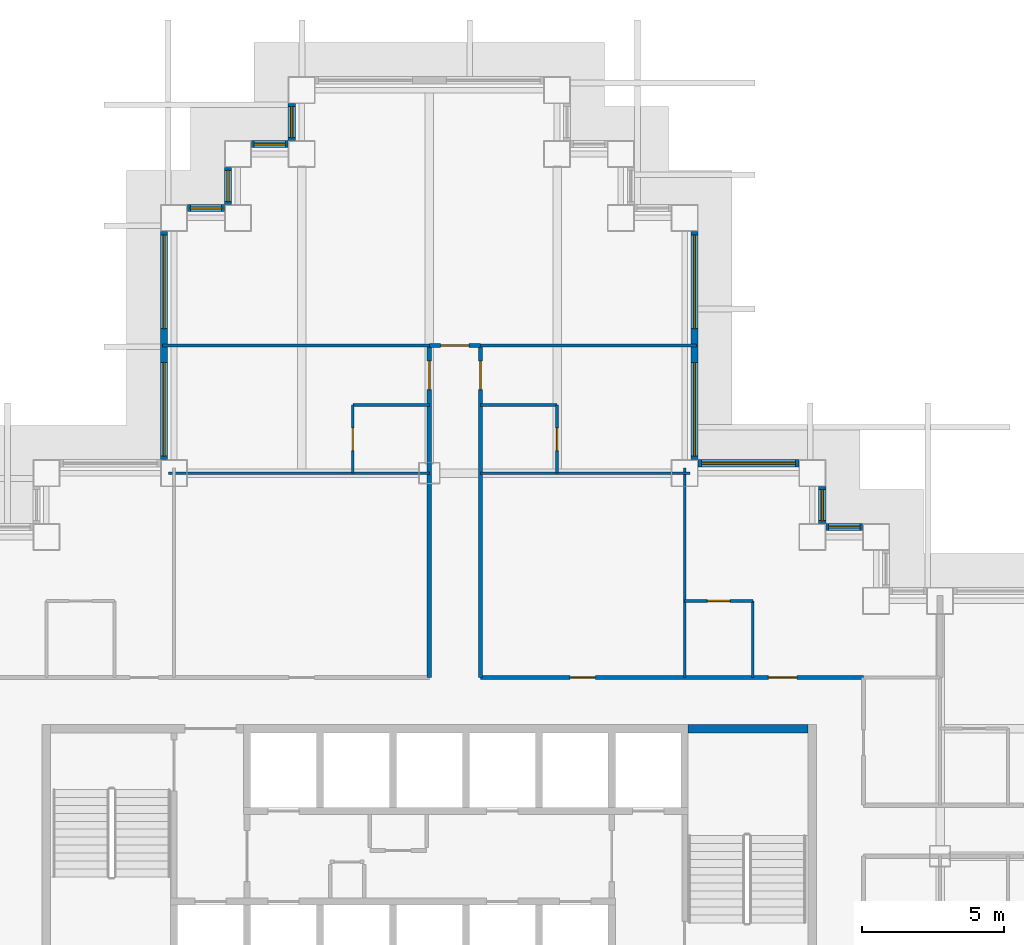
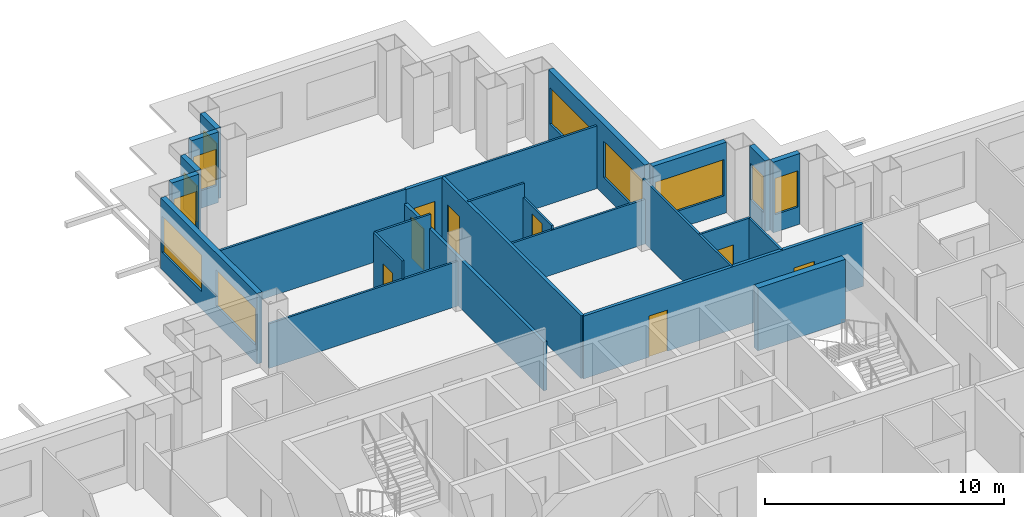
# One storey, part 8 of 15: 25 walls, 11 windows, 8 doors, 19 openings.
"""IFC4 building model written with IfcOpenShell, lengths in metres."""

from ifc_helpers import new_model, si_unit, direction, frame, frame_2d, origin, place, context, subcontext, project, spatial, rectangle, extrude, material, layer, layer_set, type_object, element, fill, save


model = new_model("IFC4")

# Units and contexts
model_context = context("Model", 3, precision=1e-05, world=origin(), true_north=direction((0.0, 1.0)))
body_context = subcontext(model_context, "Body", "Model", "MODEL_VIEW")
ifc_project = project(units=[si_unit("LENGTHUNIT", "METRE"), si_unit("AREAUNIT", "SQUARE_METRE"), si_unit("VOLUMEUNIT", "CUBIC_METRE"), si_unit("PLANEANGLEUNIT", "RADIAN"), si_unit("MASSUNIT", "GRAM", prefix="KILO")], contexts=[model_context])

# Site, building, storey
site_placement = place(None, origin())
site = spatial("IfcSite", under=ifc_project, at=site_placement, CompositionType="ELEMENT")
building_placement = place(site_placement, origin())
building = spatial("IfcBuilding", under=site, at=building_placement, Name="Caravel Reach Hotel and Residences", CompositionType="ELEMENT")
storey_placement = place(building_placement, frame((0.0, 0.0, 92.39990234375)))
storey = spatial("IfcBuildingStorey", under=building, at=storey_placement, Name="L22", CompositionType="ELEMENT", Elevation=92.39990234375)

# Wall, opening, door
ifc_material_1 = material(Name="Gypsum board on steel stud", Category="steel")
ifc_layer_1 = layer(ifc_material_1, 0.10009765625)
ifc_layer_set_1 = layer_set([ifc_layer_1], Name="Bathroom pod wall 100 mm")
wall_type_1 = type_object("IfcWallType", Name="Bathroom pod wall 100 mm", PredefinedType="PARTITIONING", material=ifc_layer_set_1)
wall_1_placement = place(storey_placement, frame((40.5, 36.0, 0.0), z_axis=(0.0, 0.0, 1.0), x_axis=(1.0, 0.0, 0.0)))
wall_1 = element("IfcWall", 1, at=wall_1_placement, inside=storey, type_object=wall_type_1, Name="L22 wall w080", PredefinedType="PARTITIONING", context=body_context, shape_type="SweptSolid", body=[
    extrude(rectangle(XDim=2.39990234375, YDim=0.10009765625, at=frame_2d((1.199951171875, 0.0))), origin(), (0.0, 0.0, 1.0), 3.2001953125),
])
opening_1_placement = place(wall_1_placement, frame((0.800048828125, 0.0, 0.0)))
opening_1 = element("IfcOpeningElement", 2, at=opening_1_placement, cuts=wall_1, Name="Opening D22-041", PredefinedType="OPENING", context=body_context, shape_type="SweptSolid", body=[
    extrude(rectangle(XDim=0.800048828125, YDim=2.10009765625, at=frame_2d((0.39990234375, 1.050048828125))), frame((0.0, 0.06005859375, 0.0), z_axis=(0.0, -1.0, 0.0), x_axis=(1.0, 0.0, 0.0)), (0.0, 0.0, 1.0), 0.1201171875),
])
ifc_material_2 = material(Name="Timber and steel door leaf", Category="steel")
door_type_1 = type_object("IfcDoorType", Name="Bathroom door 800 x 2100", OperationType="SINGLE_SWING_LEFT", PredefinedType="DOOR", material=ifc_material_2)
door_1_placement = place(opening_1_placement, origin())
door_1 = element("IfcDoor", 3, at=door_1_placement, inside=storey, type_object=door_type_1, Name="door D22-041", OperationType="SINGLE_SWING_LEFT", OverallHeight=2.10009765625, OverallWidth=0.800048828125, PredefinedType="DOOR", context=body_context, shape_type="SweptSolid", body=[
    extrude(rectangle(XDim=0.800048828125, YDim=2.10009765625, at=frame_2d((0.39990234375, 1.050048828125))), frame((0.0, 0.02490234375, 0.0), z_axis=(0.0, -1.0, 0.0), x_axis=(1.0, 0.0, 0.0)), (0.0, 0.0, 1.0), 0.050048828125),
])
fill(opening_1, door_1)

# Walls
for number, where, z_axis, x_axis, name in (
    (4, (33.300048828125, 42.89990234375, 0.0), (0.0, 0.0, 1.0), (1.0, 0.0, 0.0), "L22 wall w081"),
    (5, (28.800048828125, 42.89990234375, 0.0), (0.0, 0.0, 1.0), (1.0, 0.0, 0.0), "L22 wall w082"),
):
    element("IfcWall", number, at=place(storey_placement, frame(where, z_axis=z_axis, x_axis=x_axis)), inside=storey, type_object=wall_type_1, Name=name, PredefinedType="PARTITIONING", context=body_context, shape_type="SweptSolid", body=[
        extrude(rectangle(XDim=2.699951171875, YDim=0.10009765625, at=frame_2d((1.35009765625, 0.0))), origin(), (0.0, 0.0, 1.0), 3.2001953125),
    ])

# Wall, opening, door
wall_2_placement = place(storey_placement, frame((28.800048828125, 40.5, 0.0), z_axis=(0.0, 0.0, 1.0), x_axis=(0.0, 1.0, 0.0)))
wall_2 = element("IfcWall", 6, at=wall_2_placement, inside=storey, type_object=wall_type_1, Name="L22 wall w087", PredefinedType="PARTITIONING", context=body_context, shape_type="SweptSolid", body=[
    extrude(rectangle(XDim=2.39990234375, YDim=0.10009765625, at=frame_2d((1.199951171875, 0.0))), origin(), (0.0, 0.0, 1.0), 3.2001953125),
])
opening_2_placement = place(wall_2_placement, frame((0.800048828125, 0.0, 0.0)))
opening_2 = element("IfcOpeningElement", 7, at=opening_2_placement, cuts=wall_2, Name="Opening D22-027", PredefinedType="OPENING", context=body_context, shape_type="SweptSolid", body=[
    extrude(rectangle(XDim=0.800048828125, YDim=2.10009765625, at=frame_2d((0.39990234375, 1.050048828125))), frame((0.0, 0.06005859375, 0.0), z_axis=(0.0, -1.0, 0.0), x_axis=(1.0, 0.0, 0.0)), (0.0, 0.0, 1.0), 0.1201171875),
])
door_2_placement = place(opening_2_placement, origin())
door_2 = element("IfcDoor", 8, at=door_2_placement, inside=storey, type_object=door_type_1, Name="door D22-027", OperationType="SINGLE_SWING_LEFT", OverallHeight=2.10009765625, OverallWidth=0.800048828125, PredefinedType="DOOR", context=body_context, shape_type="SweptSolid", body=[
    extrude(rectangle(XDim=0.800048828125, YDim=2.10009765625, at=frame_2d((0.39990234375, 1.050048828125))), frame((0.0, 0.02490234375, 0.0), z_axis=(0.0, -1.0, 0.0), x_axis=(1.0, 0.0, 0.0)), (0.0, 0.0, 1.0), 0.050048828125),
])
fill(opening_2, door_2)

wall_3_placement = place(storey_placement, frame((36.0, 40.5, 0.0), z_axis=(0.0, 0.0, 1.0), x_axis=(0.0, 1.0, 0.0)))
wall_3 = element("IfcWall", 9, at=wall_3_placement, inside=storey, type_object=wall_type_1, Name="L22 wall w089", PredefinedType="PARTITIONING", context=body_context, shape_type="SweptSolid", body=[
    extrude(rectangle(XDim=2.39990234375, YDim=0.10009765625, at=frame_2d((1.199951171875, 0.0))), origin(), (0.0, 0.0, 1.0), 2.47998046875),
])
opening_3_placement = place(wall_3_placement, frame((0.800048828125, 0.0, 0.0)))
opening_3 = element("IfcOpeningElement", 10, at=opening_3_placement, cuts=wall_3, Name="Opening D22-029", PredefinedType="OPENING", context=body_context, shape_type="SweptSolid", body=[
    extrude(rectangle(XDim=0.800048828125, YDim=2.10009765625, at=frame_2d((0.39990234375, 1.050048828125))), frame((0.0, 0.06005859375, 0.0), z_axis=(0.0, -1.0, 0.0), x_axis=(1.0, 0.0, 0.0)), (0.0, 0.0, 1.0), 0.1201171875),
])
door_3_placement = place(opening_3_placement, origin())
door_3 = element("IfcDoor", 11, at=door_3_placement, inside=storey, type_object=door_type_1, Name="door D22-029", OperationType="SINGLE_SWING_LEFT", OverallHeight=2.10009765625, OverallWidth=0.800048828125, PredefinedType="DOOR", context=body_context, shape_type="SweptSolid", body=[
    extrude(rectangle(XDim=0.800048828125, YDim=2.10009765625, at=frame_2d((0.39990234375, 1.050048828125))), frame((0.0, 0.02490234375, 0.0), z_axis=(0.0, -1.0, 0.0), x_axis=(1.0, 0.0, 0.0)), (0.0, 0.0, 1.0), 0.050048828125),
])
fill(opening_3, door_3)

# Walls
wall_4_placement = place(storey_placement, frame((42.89990234375, 33.300048828125, 0.0), z_axis=(0.0, 0.0, 1.0), x_axis=(0.0, 1.0, 0.0)))
element("IfcWall", 12, at=wall_4_placement, inside=storey, type_object=wall_type_1, Name="L22 wall w090", PredefinedType="PARTITIONING", context=body_context, shape_type="SweptSolid", body=[
    extrude(rectangle(XDim=2.699951171875, YDim=0.10009765625, at=frame_2d((1.35009765625, 0.0))), origin(), (0.0, 0.0, 1.0), 3.2001953125),
])
ifc_material_3 = material(Name="Concrete C60", Category="concrete")
ifc_layer_2 = layer(ifc_material_3, 0.300048828125)
ifc_layer_set_2 = layer_set([ifc_layer_2], Name="Core wall 300 mm EI 120")
wall_type_2 = type_object("IfcWallType", Name="Core wall 300 mm EI 120", PredefinedType="SHEAR", material=ifc_layer_set_2)
wall_5_placement = place(storey_placement, frame((40.625, 31.5, 0.0), z_axis=(0.0, 0.0, 1.0), x_axis=(1.0, 0.0, 0.0)))
element("IfcWall", 13, at=wall_5_placement, inside=storey, type_object=wall_type_2, Name="L22 core wall N2", PredefinedType="SHEAR", context=body_context, shape_type="SweptSolid", body=[
    extrude(rectangle(XDim=4.22509765625, YDim=0.300048828125, at=frame_2d((2.112548828125, 0.0))), origin(), (0.0, 0.0, 1.0), 3.2001953125),
])

# Wall, openings, doors
ifc_material_4 = material(Name="Gypsum board on steel stud, fire-rated", Category="steel")
ifc_layer_3 = layer(ifc_material_4, 0.14990234375)
ifc_layer_set_3 = layer_set([ifc_layer_3], Name="Corridor wall 150 mm EI 60")
wall_type_3 = type_object("IfcWallType", Name="Corridor wall 150 mm EI 60", PredefinedType="PARTITIONING", material=ifc_layer_set_3)
wall_6_placement = place(storey_placement, frame((33.300048828125, 33.300048828125, 0.0), z_axis=(0.0, 0.0, 1.0), x_axis=(1.0, 0.0, 0.0)))
wall_6 = element("IfcWall", 14, at=wall_6_placement, inside=storey, type_object=wall_type_3, Name="L22 wall w021", PredefinedType="PARTITIONING", context=body_context, shape_type="SweptSolid", body=[
    extrude(rectangle(XDim=13.5, YDim=0.14990234375, at=frame_2d((6.75, 0.0))), origin(), (0.0, 0.0, 1.0), 3.2001953125),
])
opening_4_placement = place(wall_6_placement, frame((10.14990234375, 0.0, 0.0)))
opening_4 = element("IfcOpeningElement", 15, at=opening_4_placement, cuts=wall_6, Name="Opening D22-040", PredefinedType="OPENING", context=body_context, shape_type="SweptSolid", body=[
    extrude(rectangle(XDim=1.0, YDim=2.10009765625, at=frame_2d((0.5, 1.050048828125))), frame((0.0, 0.0849609375, 0.0), z_axis=(0.0, -1.0, 0.0), x_axis=(1.0, 0.0, 0.0)), (0.0, 0.0, 1.0), 0.169921875),
])
opening_5_placement = place(wall_6_placement, frame((3.14990234375, 0.0, 0.0)))
opening_5 = element("IfcOpeningElement", 16, at=opening_5_placement, cuts=wall_6, Name="Opening D22-049", PredefinedType="OPENING", context=body_context, shape_type="SweptSolid", body=[
    extrude(rectangle(XDim=0.89990234375, YDim=2.10009765625, at=frame_2d((0.449951171875, 1.050048828125))), frame((0.0, 0.0849609375, 0.0), z_axis=(0.0, -1.0, 0.0), x_axis=(1.0, 0.0, 0.0)), (0.0, 0.0, 1.0), 0.169921875),
])
ifc_material_5 = material(Name="Timber and steel door leaf", Category="steel")
door_type_2 = type_object("IfcDoorType", Name="Door 900 x 2100 timber", OperationType="SINGLE_SWING_LEFT", PredefinedType="DOOR", material=ifc_material_5)
door_4_placement = place(opening_5_placement, origin())
door_4 = element("IfcDoor", 17, at=door_4_placement, inside=storey, type_object=door_type_2, Name="door D22-049", OperationType="SINGLE_SWING_RIGHT", OverallHeight=2.10009765625, OverallWidth=0.89990234375, PredefinedType="DOOR", context=body_context, shape_type="SweptSolid", body=[
    extrude(rectangle(XDim=0.89990234375, YDim=2.10009765625, at=frame_2d((0.449951171875, 1.050048828125))), frame((0.0, 0.02490234375, 0.0), z_axis=(0.0, -1.0, 0.0), x_axis=(1.0, 0.0, 0.0)), (0.0, 0.0, 1.0), 0.050048828125),
])
fill(opening_5, door_4)
ifc_material_6 = material(Name="Steel fire door leaf", Category="steel")
door_type_3 = type_object("IfcDoorType", Name="Guest room door 1000 x 2100 EI 30", OperationType="SINGLE_SWING_LEFT", PredefinedType="DOOR", material=ifc_material_6)
door_5_placement = place(opening_4_placement, origin())
door_5 = element("IfcDoor", 18, at=door_5_placement, inside=storey, type_object=door_type_3, Name="door D22-040", OperationType="SINGLE_SWING_RIGHT", OverallHeight=2.10009765625, OverallWidth=1.0, PredefinedType="DOOR", context=body_context, shape_type="SweptSolid", body=[
    extrude(rectangle(XDim=1.0, YDim=2.10009765625, at=frame_2d((0.5, 1.050048828125))), frame((0.0, 0.02490234375, 0.0), z_axis=(0.0, -1.0, 0.0), x_axis=(1.0, 0.0, 0.0)), (0.0, 0.0, 1.0), 0.050048828125),
])
fill(opening_4, door_5)

# Wall, opening, door
wall_7_placement = place(storey_placement, frame((31.5, 45.0, 0.0), z_axis=(0.0, 0.0, 1.0), x_axis=(1.0, 0.0, 0.0)))
wall_7 = element("IfcWall", 19, at=wall_7_placement, inside=storey, type_object=wall_type_3, Name="L22 wall w022", PredefinedType="PARTITIONING", context=body_context, shape_type="SweptSolid", body=[
    extrude(rectangle(XDim=1.800048828125, YDim=0.14990234375, at=frame_2d((0.89990234375, 0.0))), origin(), (0.0, 0.0, 1.0), 3.2001953125),
])
opening_6_placement = place(wall_7_placement, frame((0.39990234375, 0.0, 0.0)))
opening_6 = element("IfcOpeningElement", 20, at=opening_6_placement, cuts=wall_7, Name="Opening D22-036", PredefinedType="OPENING", context=body_context, shape_type="SweptSolid", body=[
    extrude(rectangle(XDim=1.0, YDim=2.10009765625, at=frame_2d((0.5, 1.050048828125))), frame((0.0, 0.0849609375, 0.0), z_axis=(0.0, -1.0, 0.0), x_axis=(1.0, 0.0, 0.0)), (0.0, 0.0, 1.0), 0.169921875),
])
door_6_placement = place(opening_6_placement, origin())
door_6 = element("IfcDoor", 21, at=door_6_placement, inside=storey, type_object=door_type_3, Name="door D22-036", OperationType="SINGLE_SWING_RIGHT", OverallHeight=2.10009765625, OverallWidth=1.0, PredefinedType="DOOR", context=body_context, shape_type="SweptSolid", body=[
    extrude(rectangle(XDim=1.0, YDim=2.10009765625, at=frame_2d((0.5, 1.050048828125))), frame((0.0, 0.02490234375, 0.0), z_axis=(0.0, -1.0, 0.0), x_axis=(1.0, 0.0, 0.0)), (0.0, 0.0, 1.0), 0.050048828125),
])
fill(opening_6, door_6)

wall_8_placement = place(storey_placement, frame((31.5, 33.300048828125, 0.0), z_axis=(0.0, 0.0, 1.0), x_axis=(0.0, 1.0, 0.0)))
wall_8 = element("IfcWall", 22, at=wall_8_placement, inside=storey, type_object=wall_type_3, Name="L22 wall w030", PredefinedType="PARTITIONING", context=body_context, shape_type="SweptSolid", body=[
    extrude(rectangle(XDim=11.699951171875, YDim=0.14990234375, at=frame_2d((5.85009765625, 0.0))), origin(), (0.0, 0.0, 1.0), 2.47998046875),
])
opening_7_placement = place(wall_8_placement, frame((10.14990234375, 0.0, 0.0)))
opening_7 = element("IfcOpeningElement", 23, at=opening_7_placement, cuts=wall_8, Name="Opening D22-026", PredefinedType="OPENING", context=body_context, shape_type="SweptSolid", body=[
    extrude(rectangle(XDim=1.0, YDim=2.10009765625, at=frame_2d((0.5, 1.050048828125))), frame((0.0, 0.0849609375, 0.0), z_axis=(0.0, -1.0, 0.0), x_axis=(1.0, 0.0, 0.0)), (0.0, 0.0, 1.0), 0.169921875),
])
door_7_placement = place(opening_7_placement, origin())
door_7 = element("IfcDoor", 24, at=door_7_placement, inside=storey, type_object=door_type_3, Name="door D22-026", OperationType="SINGLE_SWING_RIGHT", OverallHeight=2.10009765625, OverallWidth=1.0, PredefinedType="DOOR", context=body_context, shape_type="SweptSolid", body=[
    extrude(rectangle(XDim=1.0, YDim=2.10009765625, at=frame_2d((0.5, 1.050048828125))), frame((0.0, 0.02490234375, 0.0), z_axis=(0.0, -1.0, 0.0), x_axis=(1.0, 0.0, 0.0)), (0.0, 0.0, 1.0), 0.050048828125),
])
fill(opening_7, door_7)

wall_9_placement = place(storey_placement, frame((33.300048828125, 33.300048828125, 0.0), z_axis=(0.0, 0.0, 1.0), x_axis=(0.0, 1.0, 0.0)))
wall_9 = element("IfcWall", 25, at=wall_9_placement, inside=storey, type_object=wall_type_3, Name="L22 wall w033", PredefinedType="PARTITIONING", context=body_context, shape_type="SweptSolid", body=[
    extrude(rectangle(XDim=11.699951171875, YDim=0.14990234375, at=frame_2d((5.85009765625, 0.0))), origin(), (0.0, 0.0, 1.0), 3.2001953125),
])
opening_8_placement = place(wall_9_placement, frame((10.14990234375, 0.0, 0.0)))
opening_8 = element("IfcOpeningElement", 26, at=opening_8_placement, cuts=wall_9, Name="Opening D22-028", PredefinedType="OPENING", context=body_context, shape_type="SweptSolid", body=[
    extrude(rectangle(XDim=1.0, YDim=2.10009765625, at=frame_2d((0.5, 1.050048828125))), frame((0.0, 0.0849609375, 0.0), z_axis=(0.0, -1.0, 0.0), x_axis=(1.0, 0.0, 0.0)), (0.0, 0.0, 1.0), 0.169921875),
])
door_8_placement = place(opening_8_placement, origin())
door_8 = element("IfcDoor", 27, at=door_8_placement, inside=storey, type_object=door_type_3, Name="door D22-028", OperationType="SINGLE_SWING_RIGHT", OverallHeight=2.10009765625, OverallWidth=1.0, PredefinedType="DOOR", context=body_context, shape_type="SweptSolid", body=[
    extrude(rectangle(XDim=1.0, YDim=2.10009765625, at=frame_2d((0.5, 1.050048828125))), frame((0.0, 0.02490234375, 0.0), z_axis=(0.0, -1.0, 0.0), x_axis=(1.0, 0.0, 0.0)), (0.0, 0.0, 1.0), 0.050048828125),
])
fill(opening_8, door_8)

# Wall, opening, window
ifc_material_7 = material(Name="Insulated rainscreen wall, aluminium cladding", Category="aluminium")
ifc_layer_4 = layer(ifc_material_7, 0.25)
ifc_layer_set_4 = layer_set([ifc_layer_4], Name="EW1 Tower rainscreen wall")
wall_type_4 = type_object("IfcWallType", Name="EW1 Tower rainscreen wall", PredefinedType="SOLIDWALL", material=ifc_layer_set_4)
wall_10_placement = place(storey_placement, frame((46.77490234375, 38.60009765625, 0.0), z_axis=(0.0, 0.0, 1.0), x_axis=(-1.0, 0.0, 0.0)))
wall_10 = element("IfcWall", 28, at=wall_10_placement, inside=storey, type_object=wall_type_4, Name="External wall L22 N27.1", PredefinedType="SOLIDWALL", context=body_context, shape_type="SweptSolid", body=[
    extrude(rectangle(XDim=1.2998046875, YDim=0.25, at=frame_2d((0.64990234375, 0.0))), origin(), (0.0, 0.0, 1.0), 3.60009765625),
])
opening_9_placement = place(wall_10_placement, frame((0.10009765625, 0.0, 0.89990234375)))
opening_9 = element("IfcOpeningElement", 29, at=opening_9_placement, cuts=wall_10, Name="Opening WN6", PredefinedType="OPENING", context=body_context, shape_type="SweptSolid", body=[
    extrude(rectangle(XDim=1.10009765625, YDim=1.85009765625, at=frame_2d((0.550048828125, 0.925048828125))), frame((0.0, 0.135009765625, 0.0), z_axis=(0.0, -1.0, 0.0), x_axis=(1.0, 0.0, 0.0)), (0.0, 0.0, 1.0), 0.27001953125),
])
ifc_material_8 = material(Name="Dark low-e glazing in black aluminium frame", Category="aluminium")
window_type_1 = type_object("IfcWindowType", Name="Hotel suite corner window 1100 x 1850", PartitioningType="SINGLE_PANEL", PredefinedType="WINDOW", material=ifc_material_8)
window_1_placement = place(opening_9_placement, origin())
window_1 = element("IfcWindow", 30, at=window_1_placement, inside=storey, type_object=window_type_1, Name="Window L22 N27.1.1", OverallHeight=1.85009765625, OverallWidth=1.10009765625, PartitioningType="SINGLE_PANEL", PredefinedType="WINDOW", context=body_context, shape_type="SweptSolid", body=[
    extrude(rectangle(XDim=1.10009765625, YDim=1.85009765625, at=frame_2d((0.550048828125, 0.925048828125))), frame((0.0, 0.030029296875, 0.0), z_axis=(0.0, -1.0, 0.0), x_axis=(1.0, 0.0, 0.0)), (0.0, 0.0, 1.0), 0.06005859375),
])
fill(opening_9, window_1)

wall_11_placement = place(storey_placement, frame((45.35009765625, 38.72509765625, 0.0), z_axis=(0.0, 0.0, 1.0), x_axis=(0.0, 1.0, 0.0)))
wall_11 = element("IfcWall", 31, at=wall_11_placement, inside=storey, type_object=wall_type_4, Name="External wall L22 E28.1", PredefinedType="SOLIDWALL", context=body_context, shape_type="SweptSolid", body=[
    extrude(rectangle(XDim=1.2998046875, YDim=0.25, at=frame_2d((0.64990234375, 0.0))), origin(), (0.0, 0.0, 1.0), 3.60009765625),
])
opening_10_placement = place(wall_11_placement, frame((0.10009765625, 0.0, 0.89990234375)))
opening_10 = element("IfcOpeningElement", 32, at=opening_10_placement, cuts=wall_11, Name="Opening WN6", PredefinedType="OPENING", context=body_context, shape_type="SweptSolid", body=[
    extrude(rectangle(XDim=1.10009765625, YDim=1.85009765625, at=frame_2d((0.550048828125, 0.925048828125))), frame((0.0, 0.135009765625, 0.0), z_axis=(0.0, -1.0, 0.0), x_axis=(1.0, 0.0, 0.0)), (0.0, 0.0, 1.0), 0.27001953125),
])
window_2_placement = place(opening_10_placement, origin())
window_2 = element("IfcWindow", 33, at=window_2_placement, inside=storey, type_object=window_type_1, Name="Window L22 E28.1.1", OverallHeight=1.85009765625, OverallWidth=1.10009765625, PartitioningType="SINGLE_PANEL", PredefinedType="WINDOW", context=body_context, shape_type="SweptSolid", body=[
    extrude(rectangle(XDim=1.10009765625, YDim=1.85009765625, at=frame_2d((0.550048828125, 0.925048828125))), frame((0.0, 0.030029296875, 0.0), z_axis=(0.0, -1.0, 0.0), x_axis=(1.0, 0.0, 0.0)), (0.0, 0.0, 1.0), 0.06005859375),
])
fill(opening_10, window_2)

wall_12_placement = place(storey_placement, frame((44.52490234375, 40.85009765625, 0.0), z_axis=(0.0, 0.0, 1.0), x_axis=(-1.0, 0.0, 0.0)))
wall_12 = element("IfcWall", 34, at=wall_12_placement, inside=storey, type_object=wall_type_4, Name="External wall L22 N29.1", PredefinedType="SOLIDWALL", context=body_context, shape_type="SweptSolid", body=[
    extrude(rectangle(XDim=3.5498046875, YDim=0.25, at=frame_2d((1.77490234375, 0.0))), origin(), (0.0, 0.0, 1.0), 3.60009765625),
])
opening_11_placement = place(wall_12_placement, frame((0.125, 0.0, 0.89990234375)))
opening_11 = element("IfcOpeningElement", 35, at=opening_11_placement, cuts=wall_12, Name="Opening WN7", PredefinedType="OPENING", context=body_context, shape_type="SweptSolid", body=[
    extrude(rectangle(XDim=3.300048828125, YDim=1.85009765625, at=frame_2d((1.64990234375, 0.925048828125))), frame((0.0, 0.135009765625, 0.0), z_axis=(0.0, -1.0, 0.0), x_axis=(1.0, 0.0, 0.0)), (0.0, 0.0, 1.0), 0.27001953125),
])
ifc_material_9 = material(Name="Dark low-e glazing in black aluminium frame", Category="aluminium")
window_type_2 = type_object("IfcWindowType", Name="Hotel guest room window 3300 x 1850", PartitioningType="SINGLE_PANEL", PredefinedType="WINDOW", material=ifc_material_9)
window_3_placement = place(opening_11_placement, origin())
window_3 = element("IfcWindow", 36, at=window_3_placement, inside=storey, type_object=window_type_2, Name="Window L22 N29.1.1", OverallHeight=1.85009765625, OverallWidth=3.300048828125, PartitioningType="SINGLE_PANEL", PredefinedType="WINDOW", context=body_context, shape_type="SweptSolid", body=[
    extrude(rectangle(XDim=3.300048828125, YDim=1.85009765625, at=frame_2d((1.64990234375, 0.925048828125))), frame((0.0, 0.030029296875, 0.0), z_axis=(0.0, -1.0, 0.0), x_axis=(1.0, 0.0, 0.0)), (0.0, 0.0, 1.0), 0.06005859375),
])
fill(opening_11, window_3)

# Wall, openings, windows
wall_13_placement = place(storey_placement, frame((40.85009765625, 40.97509765625, 0.0), z_axis=(0.0, 0.0, 1.0), x_axis=(0.0, 1.0, 0.0)))
wall_13 = element("IfcWall", 37, at=wall_13_placement, inside=storey, type_object=wall_type_4, Name="External wall L22 E30.1", PredefinedType="SOLIDWALL", context=body_context, shape_type="SweptSolid", body=[
    extrude(rectangle(XDim=8.0498046875, YDim=0.25, at=frame_2d((4.02490234375, 0.0))), origin(), (0.0, 0.0, 1.0), 3.60009765625),
])
opening_12_placement = place(wall_13_placement, frame((0.125, 0.0, 0.89990234375)))
opening_12 = element("IfcOpeningElement", 38, at=opening_12_placement, cuts=wall_13, Name="Opening WN7", PredefinedType="OPENING", context=body_context, shape_type="SweptSolid", body=[
    extrude(rectangle(XDim=3.300048828125, YDim=1.85009765625, at=frame_2d((1.64990234375, 0.925048828125))), frame((0.0, 0.135009765625, 0.0), z_axis=(0.0, -1.0, 0.0), x_axis=(1.0, 0.0, 0.0)), (0.0, 0.0, 1.0), 0.27001953125),
])
opening_13_placement = place(wall_13_placement, frame((4.625, 0.0, 0.89990234375)))
opening_13 = element("IfcOpeningElement", 39, at=opening_13_placement, cuts=wall_13, Name="Opening WN7", PredefinedType="OPENING", context=body_context, shape_type="SweptSolid", body=[
    extrude(rectangle(XDim=3.300048828125, YDim=1.85009765625, at=frame_2d((1.64990234375, 0.925048828125))), frame((0.0, 0.135009765625, 0.0), z_axis=(0.0, -1.0, 0.0), x_axis=(1.0, 0.0, 0.0)), (0.0, 0.0, 1.0), 0.27001953125),
])
window_4_placement = place(opening_12_placement, origin())
window_4 = element("IfcWindow", 40, at=window_4_placement, inside=storey, type_object=window_type_2, Name="Window L22 E30.1.1", OverallHeight=1.85009765625, OverallWidth=3.300048828125, PartitioningType="SINGLE_PANEL", PredefinedType="WINDOW", context=body_context, shape_type="SweptSolid", body=[
    extrude(rectangle(XDim=3.300048828125, YDim=1.85009765625, at=frame_2d((1.64990234375, 0.925048828125))), frame((0.0, 0.030029296875, 0.0), z_axis=(0.0, -1.0, 0.0), x_axis=(1.0, 0.0, 0.0)), (0.0, 0.0, 1.0), 0.06005859375),
])
fill(opening_12, window_4)
window_5_placement = place(opening_13_placement, origin())
window_5 = element("IfcWindow", 41, at=window_5_placement, inside=storey, type_object=window_type_2, Name="Window L22 E30.1.2", OverallHeight=1.85009765625, OverallWidth=3.300048828125, PartitioningType="SINGLE_PANEL", PredefinedType="WINDOW", context=body_context, shape_type="SweptSolid", body=[
    extrude(rectangle(XDim=3.300048828125, YDim=1.85009765625, at=frame_2d((1.64990234375, 0.925048828125))), frame((0.0, 0.030029296875, 0.0), z_axis=(0.0, -1.0, 0.0), x_axis=(1.0, 0.0, 0.0)), (0.0, 0.0, 1.0), 0.06005859375),
])
fill(opening_13, window_5)

# Wall, opening, window
wall_14_placement = place(storey_placement, frame((26.64990234375, 53.52490234375, 0.0), z_axis=(0.0, 0.0, 1.0), x_axis=(0.0, -1.0, 0.0)))
wall_14 = element("IfcWall", 42, at=wall_14_placement, inside=storey, type_object=wall_type_4, Name="External wall L22 W36.1", PredefinedType="SOLIDWALL", context=body_context, shape_type="SweptSolid", body=[
    extrude(rectangle(XDim=1.2998046875, YDim=0.25, at=frame_2d((0.64990234375, 0.0))), origin(), (0.0, 0.0, 1.0), 3.60009765625),
])
opening_14_placement = place(wall_14_placement, frame((0.10009765625, 0.0, 0.89990234375)))
opening_14 = element("IfcOpeningElement", 43, at=opening_14_placement, cuts=wall_14, Name="Opening WN6", PredefinedType="OPENING", context=body_context, shape_type="SweptSolid", body=[
    extrude(rectangle(XDim=1.10009765625, YDim=1.85009765625, at=frame_2d((0.550048828125, 0.925048828125))), frame((0.0, 0.135009765625, 0.0), z_axis=(0.0, -1.0, 0.0), x_axis=(1.0, 0.0, 0.0)), (0.0, 0.0, 1.0), 0.27001953125),
])
window_6_placement = place(opening_14_placement, origin())
window_6 = element("IfcWindow", 44, at=window_6_placement, inside=storey, type_object=window_type_1, Name="Window L22 W36.1.1", OverallHeight=1.85009765625, OverallWidth=1.10009765625, PartitioningType="SINGLE_PANEL", PredefinedType="WINDOW", context=body_context, shape_type="SweptSolid", body=[
    extrude(rectangle(XDim=1.10009765625, YDim=1.85009765625, at=frame_2d((0.550048828125, 0.925048828125))), frame((0.0, 0.030029296875, 0.0), z_axis=(0.0, -1.0, 0.0), x_axis=(1.0, 0.0, 0.0)), (0.0, 0.0, 1.0), 0.06005859375),
])
fill(opening_14, window_6)

wall_15_placement = place(storey_placement, frame((26.52490234375, 52.10009765625, 0.0), z_axis=(0.0, 0.0, 1.0), x_axis=(-1.0, 0.0, 0.0)))
wall_15 = element("IfcWall", 45, at=wall_15_placement, inside=storey, type_object=wall_type_4, Name="External wall L22 N37.1", PredefinedType="SOLIDWALL", context=body_context, shape_type="SweptSolid", body=[
    extrude(rectangle(XDim=1.2998046875, YDim=0.25, at=frame_2d((0.64990234375, 0.0))), origin(), (0.0, 0.0, 1.0), 3.60009765625),
])
opening_15_placement = place(wall_15_placement, frame((0.10009765625, 0.0, 0.89990234375)))
opening_15 = element("IfcOpeningElement", 46, at=opening_15_placement, cuts=wall_15, Name="Opening WN6", PredefinedType="OPENING", context=body_context, shape_type="SweptSolid", body=[
    extrude(rectangle(XDim=1.10009765625, YDim=1.85009765625, at=frame_2d((0.550048828125, 0.925048828125))), frame((0.0, 0.135009765625, 0.0), z_axis=(0.0, -1.0, 0.0), x_axis=(1.0, 0.0, 0.0)), (0.0, 0.0, 1.0), 0.27001953125),
])
window_7_placement = place(opening_15_placement, origin())
window_7 = element("IfcWindow", 47, at=window_7_placement, inside=storey, type_object=window_type_1, Name="Window L22 N37.1.1", OverallHeight=1.85009765625, OverallWidth=1.10009765625, PartitioningType="SINGLE_PANEL", PredefinedType="WINDOW", context=body_context, shape_type="SweptSolid", body=[
    extrude(rectangle(XDim=1.10009765625, YDim=1.85009765625, at=frame_2d((0.550048828125, 0.925048828125))), frame((0.0, 0.030029296875, 0.0), z_axis=(0.0, -1.0, 0.0), x_axis=(1.0, 0.0, 0.0)), (0.0, 0.0, 1.0), 0.06005859375),
])
fill(opening_15, window_7)

wall_16_placement = place(storey_placement, frame((24.39990234375, 51.27490234375, 0.0), z_axis=(0.0, 0.0, 1.0), x_axis=(0.0, -1.0, 0.0)))
wall_16 = element("IfcWall", 48, at=wall_16_placement, inside=storey, type_object=wall_type_4, Name="External wall L22 W38.1", PredefinedType="SOLIDWALL", context=body_context, shape_type="SweptSolid", body=[
    extrude(rectangle(XDim=1.2998046875, YDim=0.25, at=frame_2d((0.64990234375, 0.0))), origin(), (0.0, 0.0, 1.0), 3.60009765625),
])
opening_16_placement = place(wall_16_placement, frame((0.10009765625, 0.0, 0.89990234375)))
opening_16 = element("IfcOpeningElement", 49, at=opening_16_placement, cuts=wall_16, Name="Opening WN6", PredefinedType="OPENING", context=body_context, shape_type="SweptSolid", body=[
    extrude(rectangle(XDim=1.10009765625, YDim=1.85009765625, at=frame_2d((0.550048828125, 0.925048828125))), frame((0.0, 0.135009765625, 0.0), z_axis=(0.0, -1.0, 0.0), x_axis=(1.0, 0.0, 0.0)), (0.0, 0.0, 1.0), 0.27001953125),
])
window_8_placement = place(opening_16_placement, origin())
window_8 = element("IfcWindow", 50, at=window_8_placement, inside=storey, type_object=window_type_1, Name="Window L22 W38.1.1", OverallHeight=1.85009765625, OverallWidth=1.10009765625, PartitioningType="SINGLE_PANEL", PredefinedType="WINDOW", context=body_context, shape_type="SweptSolid", body=[
    extrude(rectangle(XDim=1.10009765625, YDim=1.85009765625, at=frame_2d((0.550048828125, 0.925048828125))), frame((0.0, 0.030029296875, 0.0), z_axis=(0.0, -1.0, 0.0), x_axis=(1.0, 0.0, 0.0)), (0.0, 0.0, 1.0), 0.06005859375),
])
fill(opening_16, window_8)

wall_17_placement = place(storey_placement, frame((24.27490234375, 49.85009765625, 0.0), z_axis=(0.0, 0.0, 1.0), x_axis=(-1.0, 0.0, 0.0)))
wall_17 = element("IfcWall", 51, at=wall_17_placement, inside=storey, type_object=wall_type_4, Name="External wall L22 N39.1", PredefinedType="SOLIDWALL", context=body_context, shape_type="SweptSolid", body=[
    extrude(rectangle(XDim=1.2998046875, YDim=0.25, at=frame_2d((0.64990234375, 0.0))), origin(), (0.0, 0.0, 1.0), 3.60009765625),
])
opening_17_placement = place(wall_17_placement, frame((0.10009765625, 0.0, 0.89990234375)))
opening_17 = element("IfcOpeningElement", 52, at=opening_17_placement, cuts=wall_17, Name="Opening WN6", PredefinedType="OPENING", context=body_context, shape_type="SweptSolid", body=[
    extrude(rectangle(XDim=1.10009765625, YDim=1.85009765625, at=frame_2d((0.550048828125, 0.925048828125))), frame((0.0, 0.135009765625, 0.0), z_axis=(0.0, -1.0, 0.0), x_axis=(1.0, 0.0, 0.0)), (0.0, 0.0, 1.0), 0.27001953125),
])
window_9_placement = place(opening_17_placement, origin())
window_9 = element("IfcWindow", 53, at=window_9_placement, inside=storey, type_object=window_type_1, Name="Window L22 N39.1.1", OverallHeight=1.85009765625, OverallWidth=1.10009765625, PartitioningType="SINGLE_PANEL", PredefinedType="WINDOW", context=body_context, shape_type="SweptSolid", body=[
    extrude(rectangle(XDim=1.10009765625, YDim=1.85009765625, at=frame_2d((0.550048828125, 0.925048828125))), frame((0.0, 0.030029296875, 0.0), z_axis=(0.0, -1.0, 0.0), x_axis=(1.0, 0.0, 0.0)), (0.0, 0.0, 1.0), 0.06005859375),
])
fill(opening_17, window_9)

# Wall, openings, windows
wall_18_placement = place(storey_placement, frame((22.14990234375, 49.02490234375, 0.0), z_axis=(0.0, 0.0, 1.0), x_axis=(0.0, -1.0, 0.0)))
wall_18 = element("IfcWall", 54, at=wall_18_placement, inside=storey, type_object=wall_type_4, Name="External wall L22 W40.1", PredefinedType="SOLIDWALL", context=body_context, shape_type="SweptSolid", body=[
    extrude(rectangle(XDim=8.0498046875, YDim=0.25, at=frame_2d((4.02490234375, 0.0))), origin(), (0.0, 0.0, 1.0), 3.60009765625),
])
opening_18_placement = place(wall_18_placement, frame((0.125, 0.0, 0.89990234375)))
opening_18 = element("IfcOpeningElement", 55, at=opening_18_placement, cuts=wall_18, Name="Opening WN7", PredefinedType="OPENING", context=body_context, shape_type="SweptSolid", body=[
    extrude(rectangle(XDim=3.300048828125, YDim=1.85009765625, at=frame_2d((1.64990234375, 0.925048828125))), frame((0.0, 0.135009765625, 0.0), z_axis=(0.0, -1.0, 0.0), x_axis=(1.0, 0.0, 0.0)), (0.0, 0.0, 1.0), 0.27001953125),
])
opening_19_placement = place(wall_18_placement, frame((4.625, 0.0, 0.89990234375)))
opening_19 = element("IfcOpeningElement", 56, at=opening_19_placement, cuts=wall_18, Name="Opening WN7", PredefinedType="OPENING", context=body_context, shape_type="SweptSolid", body=[
    extrude(rectangle(XDim=3.300048828125, YDim=1.85009765625, at=frame_2d((1.64990234375, 0.925048828125))), frame((0.0, 0.135009765625, 0.0), z_axis=(0.0, -1.0, 0.0), x_axis=(1.0, 0.0, 0.0)), (0.0, 0.0, 1.0), 0.27001953125),
])
window_10_placement = place(opening_18_placement, origin())
window_10 = element("IfcWindow", 57, at=window_10_placement, inside=storey, type_object=window_type_2, Name="Window L22 W40.1.1", OverallHeight=1.85009765625, OverallWidth=3.300048828125, PartitioningType="SINGLE_PANEL", PredefinedType="WINDOW", context=body_context, shape_type="SweptSolid", body=[
    extrude(rectangle(XDim=3.300048828125, YDim=1.85009765625, at=frame_2d((1.64990234375, 0.925048828125))), frame((0.0, 0.030029296875, 0.0), z_axis=(0.0, -1.0, 0.0), x_axis=(1.0, 0.0, 0.0)), (0.0, 0.0, 1.0), 0.06005859375),
])
fill(opening_18, window_10)
window_11_placement = place(opening_19_placement, origin())
window_11 = element("IfcWindow", 58, at=window_11_placement, inside=storey, type_object=window_type_2, Name="Window L22 W40.1.2", OverallHeight=1.85009765625, OverallWidth=3.300048828125, PartitioningType="SINGLE_PANEL", PredefinedType="WINDOW", context=body_context, shape_type="SweptSolid", body=[
    extrude(rectangle(XDim=3.300048828125, YDim=1.85009765625, at=frame_2d((1.64990234375, 0.925048828125))), frame((0.0, 0.030029296875, 0.0), z_axis=(0.0, -1.0, 0.0), x_axis=(1.0, 0.0, 0.0)), (0.0, 0.0, 1.0), 0.06005859375),
])
fill(opening_19, window_11)

# Walls
ifc_material_10 = material(Name="Gypsum board on steel stud", Category="steel")
ifc_layer_5 = layer(ifc_material_10, 0.10009765625)
ifc_layer_set_5 = layer_set([ifc_layer_5], Name="Partition 100 mm")
wall_type_5 = type_object("IfcWallType", Name="Partition 100 mm", PredefinedType="PARTITIONING", material=ifc_layer_set_5)
wall_19_placement = place(storey_placement, frame((33.300048828125, 40.5, 0.0), z_axis=(0.0, 0.0, 1.0), x_axis=(1.0, 0.0, 0.0)))
element("IfcWall", 59, at=wall_19_placement, inside=storey, type_object=wall_type_5, Name="L22 wall w045", PredefinedType="PARTITIONING", context=body_context, shape_type="SweptSolid", body=[
    extrude(rectangle(XDim=7.389892578125, YDim=0.10009765625, at=frame_2d((3.69482421875, 0.0))), origin(), (0.0, 0.0, 1.0), 2.280029296875),
])
wall_20_placement = place(storey_placement, frame((22.31005859375, 40.5, 0.0), z_axis=(0.0, 0.0, 1.0), x_axis=(1.0, 0.0, 0.0)))
element("IfcWall", 60, at=wall_20_placement, inside=storey, type_object=wall_type_5, Name="L22 wall w046", PredefinedType="PARTITIONING", context=body_context, shape_type="SweptSolid", body=[
    extrude(rectangle(XDim=9.18994140625, YDim=0.10009765625, at=frame_2d((4.594970703125, 0.0))), origin(), (0.0, 0.0, 1.0), 2.280029296875),
])
wall_21_placement = place(storey_placement, frame((33.300048828125, 45.0, 0.0), z_axis=(0.0, 0.0, 1.0), x_axis=(1.0, 0.0, 0.0)))
element("IfcWall", 61, at=wall_21_placement, inside=storey, type_object=wall_type_5, Name="L22 wall w047", PredefinedType="PARTITIONING", context=body_context, shape_type="SweptSolid", body=[
    extrude(rectangle(XDim=7.614990234375, YDim=0.10009765625, at=frame_2d((3.8076171875, 0.0))), origin(), (0.0, 0.0, 1.0), 3.2001953125),
])
wall_22_placement = place(storey_placement, frame((22.0849609375, 45.0, 0.0), z_axis=(0.0, 0.0, 1.0), x_axis=(1.0, 0.0, 0.0)))
element("IfcWall", 62, at=wall_22_placement, inside=storey, type_object=wall_type_5, Name="L22 wall w048", PredefinedType="PARTITIONING", context=body_context, shape_type="SweptSolid", body=[
    extrude(rectangle(XDim=9.4150390625, YDim=0.10009765625, at=frame_2d((4.70751953125, 0.0))), origin(), (0.0, 0.0, 1.0), 3.2001953125),
])
wall_23_placement = place(storey_placement, frame((40.5, 33.300048828125, 0.0), z_axis=(0.0, 0.0, 1.0), x_axis=(0.0, 1.0, 0.0)))
element("IfcWall", 63, at=wall_23_placement, inside=storey, type_object=wall_type_5, Name="L22 wall w061", PredefinedType="PARTITIONING", context=body_context, shape_type="SweptSolid", body=[
    extrude(rectangle(XDim=7.389892578125, YDim=0.10009765625, at=frame_2d((3.69482421875, 0.0))), origin(), (0.0, 0.0, 1.0), 3.2001953125),
])

save(model, "model.ifc")
